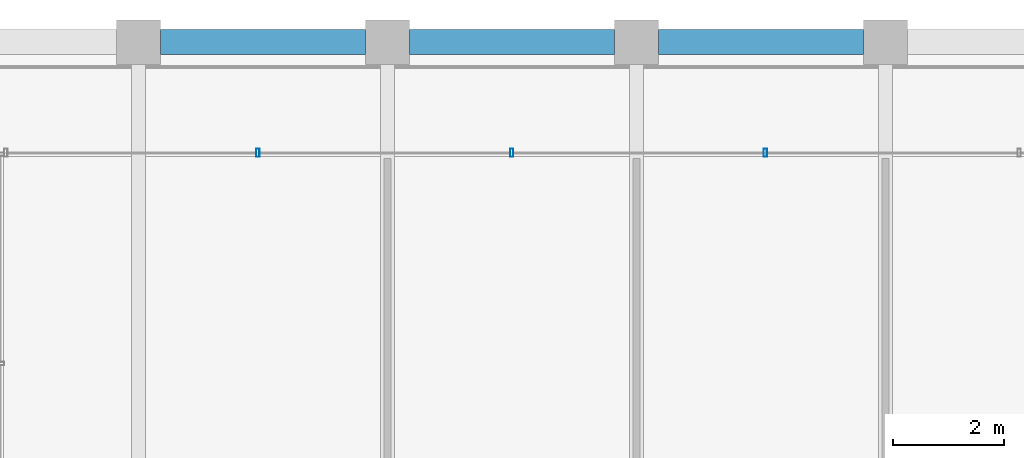
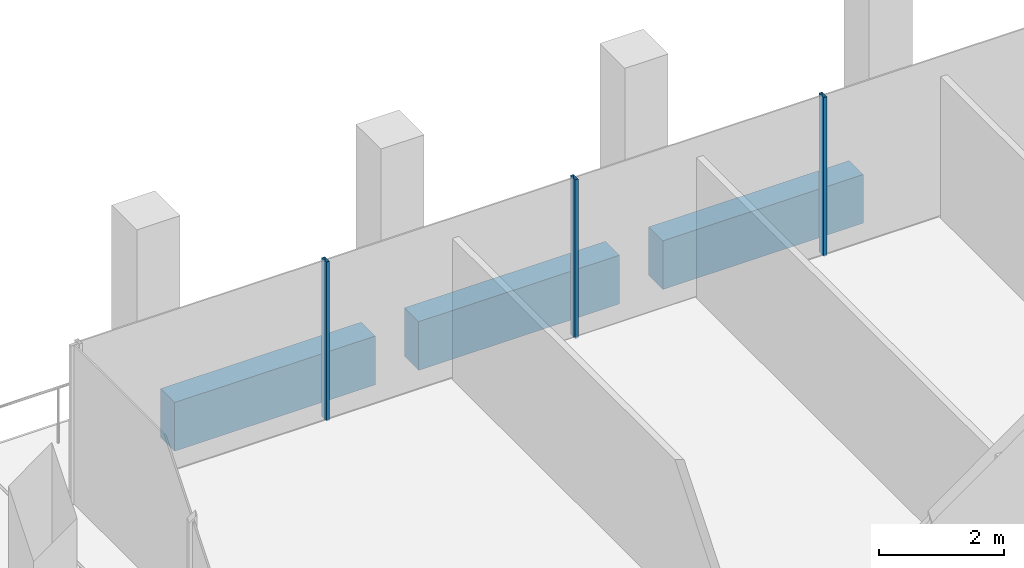
# One storey, part 23 of 30: 3 beams, 3 members, 1 element without a shape of its own.
"""IFC4 building model written with IfcOpenShell, lengths in metres."""

from ifc_helpers import new_model, si_unit, direction, frame, origin, origin_2d, place, context, subcontext, project, spatial, rectangle, hollow_rectangle, extrude, material, material_profile, profile_set, type_object, element, aggregate, save


model = new_model("IFC4")

# Units and contexts
model_context = context("Model", 3, precision=1e-05, world=origin(), true_north=direction((0.0, 1.0)))
body_context = subcontext(model_context, "Body", "Model", "MODEL_VIEW")
ifc_project = project(units=[si_unit("LENGTHUNIT", "METRE"), si_unit("AREAUNIT", "SQUARE_METRE"), si_unit("VOLUMEUNIT", "CUBIC_METRE"), si_unit("PLANEANGLEUNIT", "RADIAN"), si_unit("MASSUNIT", "GRAM", prefix="KILO")], contexts=[model_context])

# Site, building, storey
site_placement = place(None, origin())
site = spatial("IfcSite", under=ifc_project, at=site_placement, CompositionType="ELEMENT")
building_placement = place(site_placement, origin())
building = spatial("IfcBuilding", under=site, at=building_placement, Name="Altepetl Exchange Towers", CompositionType="ELEMENT")
storey_placement = place(building_placement, frame((0.0, 0.0, 220.800048828125)))
storey = spatial("IfcBuildingStorey", under=building, at=storey_placement, Name="L56", CompositionType="ELEMENT", Elevation=220.800048828125)

# Curtain wall, members
ifc_material_1 = material(Name="Aluminium 6063-T6 glazing", Category="aluminium")
curtain_wall_type = type_object("IfcCurtainWallType", Name="Loggia glazing system", PredefinedType="NOTDEFINED", material=ifc_material_1)
curtain_wall_placement = place(storey_placement, origin())
curtain_wall = element("IfcCurtainWall", 1, at=curtain_wall_placement, inside=storey, type_object=curtain_wall_type, Name="CW1 run", PredefinedType="NOTDEFINED")
ifc_material_2 = material(Name="Aluminium 6063-T6", Category="aluminium")
ifc_material_profile_1 = material_profile(ifc_material_2, hollow_rectangle(XDim=0.06005859375, YDim=0.14990234375, WallThickness=0.0029296875, at=origin_2d()), Name="Mullion 60x150 aluminium")
ifc_profile_set_1 = profile_set([ifc_material_profile_1], Name="Aluminium 6063-T6")
member_type = type_object("IfcMemberType", Name="Mullion 60x150 aluminium", PredefinedType="MULLION", material=ifc_profile_set_1)
member_1_placement = place(storey_placement, frame((56.330078125, 70.0, 0.0), z_axis=(0.0, 0.0, 1.0), x_axis=(-1.0, 0.0, 0.0)))
member_1 = element("IfcMember", 2, at=member_1_placement, type_object=member_type, Name="MU1 mullion", PredefinedType="MULLION", context=body_context, shape_type="SweptSolid", body=[
    extrude(hollow_rectangle(XDim=0.06005859375, YDim=0.14990234375, WallThickness=0.0029296875, at=origin_2d()), origin(), (0.0, 0.0, 1.0), 3.099853515625),
])
member_2_placement = place(storey_placement, frame((51.7451171875, 70.0, 0.0), z_axis=(0.0, 0.0, 1.0), x_axis=(-1.0, 0.0, 0.0)))
member_2 = element("IfcMember", 3, at=member_2_placement, type_object=member_type, Name="MU1 mullion", PredefinedType="MULLION", context=body_context, shape_type="SweptSolid", body=[
    extrude(hollow_rectangle(XDim=0.06005859375, YDim=0.14990234375, WallThickness=0.0029296875, at=origin_2d()), origin(), (0.0, 0.0, 1.0), 3.099853515625),
])
member_3_placement = place(storey_placement, frame((47.159912109375, 70.0, 0.0), z_axis=(0.0, 0.0, 1.0), x_axis=(-1.0, 0.0, 0.0)))
member_3 = element("IfcMember", 4, at=member_3_placement, type_object=member_type, Name="MU1 mullion", PredefinedType="MULLION", context=body_context, shape_type="SweptSolid", body=[
    extrude(hollow_rectangle(XDim=0.06005859375, YDim=0.14990234375, WallThickness=0.0029296875, at=origin_2d()), origin(), (0.0, 0.0, 1.0), 3.099853515625),
])
aggregate(curtain_wall, [member_1, member_2, member_3])

# Beams
ifc_material_3 = material(Name="Concrete C50/60 precast with cantera rosa facing", Category="concrete")
ifc_material_profile_2 = material_profile(ifc_material_3, rectangle(XDim=0.449951171875, YDim=0.949951171875, at=origin_2d()), Name="450 x 950")
ifc_profile_set_2 = profile_set([ifc_material_profile_2], Name="Concrete C50/60 precast with cantera rosa facing")
beam_type = type_object("IfcBeamType", Name="Spandrel beam 450x950 cantera rosa", PredefinedType="SPANDREL", material=ifc_profile_set_2)
for number, where, z_axis, x_axis, name in (
    (5, (58.10009765625, 72.0, -0.625), (-1.0, 0.0, 0.0), (0.0, -1.0, 0.0), "sp:A:L56:026"),
    (6, (53.60009765625, 72.0, -0.625), (-1.0, 0.0, 0.0), (0.0, -1.0, 0.0), "sp:A:L56:027"),
    (7, (49.10009765625, 72.0, -0.625), (-1.0, 0.0, 0.0), (0.0, -1.0, 0.0), "sp:A:L56:028"),
):
    element("IfcBeam", number, at=place(storey_placement, frame(where, z_axis=z_axis, x_axis=x_axis)), inside=storey, type_object=beam_type, Name=name, PredefinedType="SPANDREL", context=body_context, shape_type="SweptSolid", body=[
        extrude(rectangle(XDim=0.449951171875, YDim=0.949951171875, at=origin_2d()), origin(), (0.0, 0.0, 1.0), 3.7001953125),
    ])

save(model, "model.ifc")
